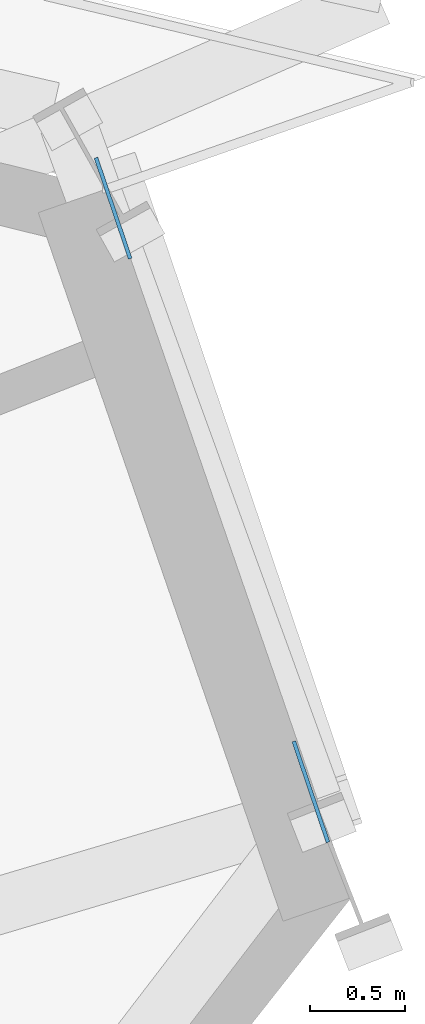
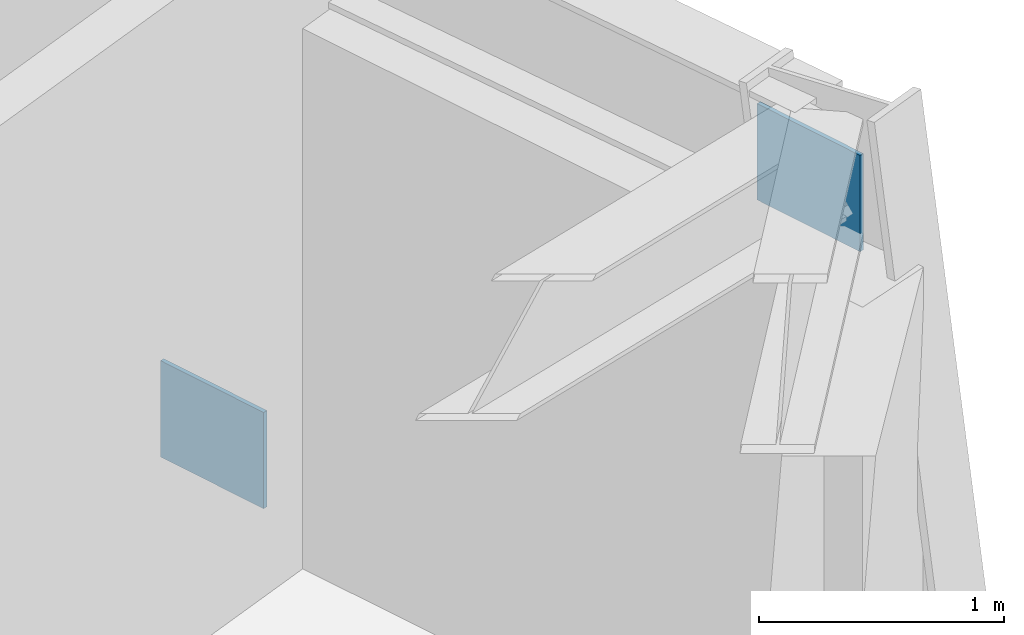
# One storey, part 11 of 18: 2 plates.
"""IFC4 building model written with IfcOpenShell, lengths in metres."""

from ifc_helpers import new_model, si_unit, direction, frame, origin, origin_2d, place, context, subcontext, project, spatial, rectangle, extrude, source, transform, mapped, material, type_object, element, save


model = new_model("IFC4")

# Units and contexts
model_context = context("Model", 3, precision=1e-05, world=origin(), true_north=direction((0.0, 1.0)))
body_context = subcontext(model_context, "Body", "Model", "MODEL_VIEW")
ifc_project = project(units=[si_unit("LENGTHUNIT", "METRE"), si_unit("AREAUNIT", "SQUARE_METRE"), si_unit("VOLUMEUNIT", "CUBIC_METRE"), si_unit("PLANEANGLEUNIT", "RADIAN"), si_unit("MASSUNIT", "GRAM", prefix="KILO")], contexts=[model_context])

# Site, building, storey
site_placement = place(None, origin())
site = spatial("IfcSite", under=ifc_project, at=site_placement, CompositionType="ELEMENT")
building_placement = place(site_placement, origin())
building = spatial("IfcBuilding", under=site, at=building_placement, Name="Olszyna Solenne Hotel", CompositionType="ELEMENT")
storey_placement = place(building_placement, frame((0.0, 0.0, 112.800048828125)))
storey = spatial("IfcBuildingStorey", under=building, at=storey_placement, Name="L29", CompositionType="ELEMENT", Elevation=112.800048828125)

# Plates
ifc_material = material(Name="Steel S355J2", Category="steel")
plate_type = type_object("IfcPlateType", Name="GP-ND2", PredefinedType="USERDEFINED", material=ifc_material)
shared_shape = source(origin(), body_context, "Body", "SweptSolid", [
    extrude(rectangle(XDim=0.56005859375, YDim=0.02001953125, at=origin_2d()), origin(), (0.0, 0.0, 1.0), 0.47998046875),
])
for number, where, z_axis, x_axis, name in (
    (1, (65.66796875, 38.299072265625, -0.138916015625), (0.0, 0.0, 1.0), (0.320943609807, -0.947098304995, 0.0), "Brace end connection gusset plate GP-ND2 EP-BR-L29-1-1"),
    (2, (66.7080078125, 35.230224609375, 2.638916015625), (0.0, 0.0, 1.0), (0.320943609807, -0.947098304995, 0.0), "Brace end connection gusset plate GP-ND2 EP-BR-L29-1-2"),
):
    element("IfcPlate", number, at=place(storey_placement, frame(where, z_axis=z_axis, x_axis=x_axis)), inside=storey, type_object=plate_type, Name=name, ObjectType="GUSSET_PLATE", PredefinedType="USERDEFINED", context=body_context, shape_type="MappedRepresentation", body=[
        mapped(shared_shape, transform((0.0, 0.0, 0.0), x_axis=(1.0, 0.0, 0.0), y_axis=(0.0, 1.0, 0.0), z_axis=(0.0, 0.0, 1.0), scale=1.0)),
    ])

save(model, "model.ifc")
